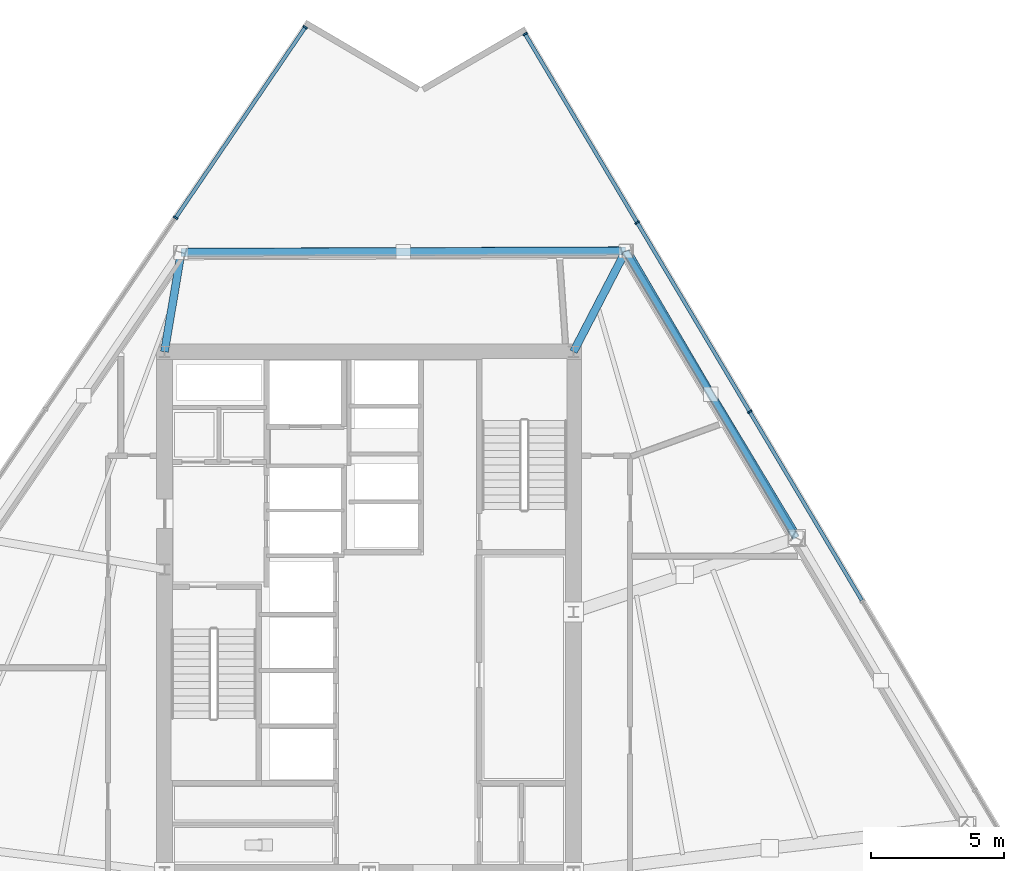
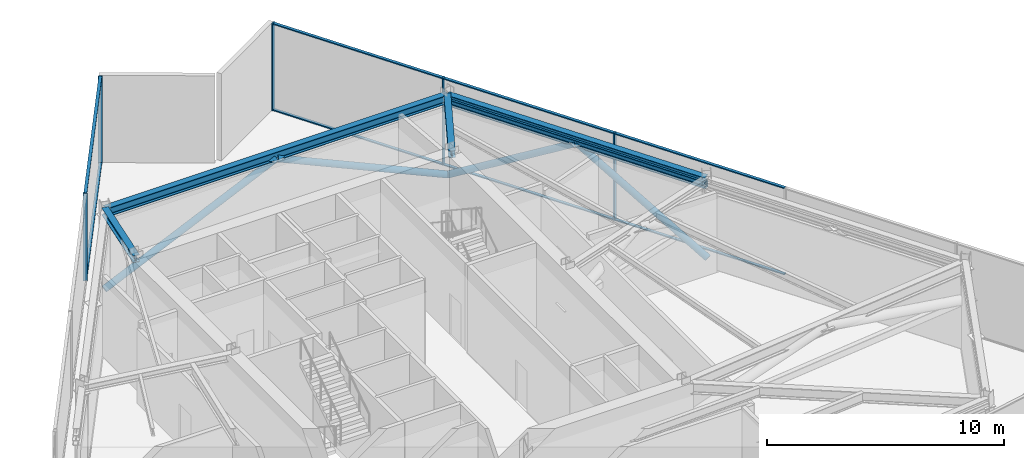
# One storey, part 6 of 14: 18 members, 4 beams, 2 elements without a shape of their own.
"""IFC4 building model written with IfcOpenShell, lengths in metres."""

from ifc_helpers import new_model, si_unit, direction, frame, origin, origin_2d, place, context, subcontext, project, spatial, rectangle, hollow_rectangle, hollow_circle, i_section, extrude, material, material_profile, profile_set, type_object, element, aggregate, save


model = new_model("IFC4")

# Units and contexts
model_context = context("Model", 3, precision=1e-05, world=origin(), true_north=direction((0.0, 1.0)))
body_context = subcontext(model_context, "Body", "Model", "MODEL_VIEW")
ifc_project = project(units=[si_unit("LENGTHUNIT", "METRE"), si_unit("AREAUNIT", "SQUARE_METRE"), si_unit("VOLUMEUNIT", "CUBIC_METRE"), si_unit("PLANEANGLEUNIT", "RADIAN"), si_unit("MASSUNIT", "GRAM", prefix="KILO")], contexts=[model_context])

# Site, building, storey
site_placement = place(None, origin())
site = spatial("IfcSite", under=ifc_project, at=site_placement, CompositionType="ELEMENT")
building_placement = place(site_placement, origin())
building = spatial("IfcBuilding", under=site, at=building_placement, Name="Savorim Split Tower", CompositionType="ELEMENT")
storey_placement = place(building_placement, frame((0.0, 0.0, 129.300048828125)))
storey = spatial("IfcBuildingStorey", under=building, at=storey_placement, Name="L34", CompositionType="ELEMENT", Elevation=129.300048828125)

# Beams
ifc_material_1 = material(Name="Steel S355", Category="steel")
ifc_material_profile_1 = material_profile(ifc_material_1, i_section(OverallWidth=0.300048828125, OverallDepth=0.360107421875, WebThickness=0.012451171875, FlangeThickness=0.0224609375, FilletRadius=0.027099609375, at=origin_2d()), Name="HEB 360")
ifc_profile_set_1 = profile_set([ifc_material_profile_1], Name="Steel S355")
beam_type_1 = type_object("IfcBeamType", Name="BM-PRI-HEB360", PredefinedType="BEAM", material=ifc_profile_set_1)
beam_1_placement = place(storey_placement, frame((9.660400390625, 13.98486328125, 4.320068359375), z_axis=(-0.459929251134, -0.887955564176, 0.0), x_axis=(0.887955564176, -0.459929251134, 0.0)))
element("IfcBeam", 1, at=beam_1_placement, inside=storey, type_object=beam_type_1, Name="L34 Primary Floor Girder RG-07", PredefinedType="BEAM", context=body_context, shape_type="SweptSolid", body=[
    extrude(i_section(OverallWidth=0.300048828125, OverallDepth=0.360107421875, WebThickness=0.012451171875, FlangeThickness=0.0224609375, FilletRadius=0.027099609375, at=origin_2d()), origin(), (0.0, 0.0, 1.0), 4.262451171875),
])
beam_2_placement = place(storey_placement, frame((-7.073486328125, 13.93603515625, 4.320068359375), z_axis=(-0.165370836961, -0.98623145675, 0.0), x_axis=(0.98623145675, -0.165370836961, 0.0)))
element("IfcBeam", 2, at=beam_2_placement, inside=storey, type_object=beam_type_1, Name="L34 Primary Floor Girder RG-08", PredefinedType="BEAM", context=body_context, shape_type="SweptSolid", body=[
    extrude(i_section(OverallWidth=0.300048828125, OverallDepth=0.360107421875, WebThickness=0.012451171875, FlangeThickness=0.0224609375, FilletRadius=0.027099609375, at=origin_2d()), origin(), (0.0, 0.0, 1.0), 3.788330078125),
])
ifc_material_profile_2 = material_profile(ifc_material_1, i_section(OverallWidth=0.300048828125, OverallDepth=0.43994140625, WebThickness=0.011474609375, FlangeThickness=0.02099609375, FilletRadius=0.027099609375, at=origin_2d()), Name="HEA 450")
ifc_profile_set_2 = profile_set([ifc_material_profile_2], Name="Steel S355")
beam_type_2 = type_object("IfcBeamType", Name="BM-SPN-HEA450", PredefinedType="SPANDREL", material=ifc_profile_set_2)
beam_3_placement = place(storey_placement, frame((16.07421875, 3.198486328125, 4.280029296875), z_axis=(-0.511092873601, 0.859525493836, 0.0), x_axis=(-0.859525493836, -0.511092873601, 0.0)))
element("IfcBeam", 3, at=beam_3_placement, inside=storey, type_object=beam_type_2, Name="L34 Perimeter Spandrel Beam 6", PredefinedType="SPANDREL", context=body_context, shape_type="SweptSolid", body=[
    extrude(i_section(OverallWidth=0.300048828125, OverallDepth=0.43994140625, WebThickness=0.011474609375, FlangeThickness=0.02099609375, FilletRadius=0.027099609375, at=origin_2d()), origin(), (0.0, 0.0, 1.0), 12.54931640625),
])
beam_4_placement = place(storey_placement, frame((9.660400390625, 13.98486328125, 4.280029296875), z_axis=(-0.999995742902, -0.002917906518, 0.0), x_axis=(0.002917906518, -0.999995742902, 0.0)))
element("IfcBeam", 4, at=beam_4_placement, inside=storey, type_object=beam_type_2, Name="L34 Perimeter Spandrel Beam 7", PredefinedType="SPANDREL", context=body_context, shape_type="SweptSolid", body=[
    extrude(i_section(OverallWidth=0.300048828125, OverallDepth=0.43994140625, WebThickness=0.011474609375, FlangeThickness=0.02099609375, FilletRadius=0.027099609375, at=origin_2d()), origin(), (0.0, 0.0, 1.0), 16.73388671875),
])

# Curtain wall, members
ifc_material_2 = material(Name="Dark Ceramic-Fritted Insulated Glass", Category="glass")
curtain_wall_type = type_object("IfcCurtainWallType", Name="CW-REFUGE-LVR", PredefinedType="NOTDEFINED", material=ifc_material_2)
curtain_wall_1_placement = place(storey_placement, origin())
curtain_wall_1 = element("IfcCurtainWall", 5, at=curtain_wall_1_placement, inside=storey, type_object=curtain_wall_type, Name="L34 Curtain Wall CW-L34-EAST", PredefinedType="NOTDEFINED")
ifc_material_3 = material(Name="Charcoal Anodised Aluminium", Category="aluminium")
ifc_material_profile_3 = material_profile(ifc_material_3, rectangle(XDim=0.179931640625, YDim=0.06494140625, at=origin_2d()), Name="ALU-M 180x65")
ifc_profile_set_3 = profile_set([ifc_material_profile_3], Name="Charcoal Anodised Aluminium")
member_type_1 = type_object("IfcMemberType", Name="CWM-180x65", PredefinedType="MULLION", material=ifc_profile_set_3)
member_1_placement = place(storey_placement, frame((14.336669921875, 7.937744140625, 0.0), z_axis=(0.0, 0.0, 1.0), x_axis=(-0.859526723197, -0.51109080613, 0.0)))
member_1 = element("IfcMember", 6, at=member_1_placement, type_object=member_type_1, Name="CW-06 mullion 4", PredefinedType="MULLION", context=body_context, shape_type="SweptSolid", body=[
    extrude(rectangle(XDim=0.179931640625, YDim=0.06494140625, at=origin_2d()), origin(), (0.0, 0.0, 1.0), 4.5),
])
member_2_placement = place(storey_placement, frame((10.09912109375, 15.064208984375, 0.0), z_axis=(0.0, 0.0, 1.0), x_axis=(-0.859526723197, -0.51109080613, 0.0)))
member_2 = element("IfcMember", 7, at=member_2_placement, type_object=member_type_1, Name="CW-06 mullion 5", PredefinedType="MULLION", context=body_context, shape_type="SweptSolid", body=[
    extrude(rectangle(XDim=0.179931640625, YDim=0.06494140625, at=origin_2d()), origin(), (0.0, 0.0, 1.0), 4.5),
])
member_3_placement = place(storey_placement, frame((5.87841796875, 22.16259765625, 0.0), z_axis=(0.0, 0.0, 1.0), x_axis=(-0.859526723197, -0.51109080613, 0.0)))
member_3 = element("IfcMember", 8, at=member_3_placement, type_object=member_type_1, Name="CW-06 mullion 6", PredefinedType="MULLION", context=body_context, shape_type="SweptSolid", body=[
    extrude(rectangle(XDim=0.179931640625, YDim=0.06494140625, at=origin_2d()), origin(), (0.0, 0.0, 1.0), 4.5),
])

curtain_wall_2_placement = place(storey_placement, origin())
curtain_wall_2 = element("IfcCurtainWall", 9, at=curtain_wall_2_placement, inside=storey, type_object=curtain_wall_type, Name="L34 Curtain Wall CW-L34-WEST", PredefinedType="NOTDEFINED")
member_4_placement = place(storey_placement, frame((-2.40087890625, 22.414794921875, 0.0), z_axis=(0.0, 0.0, 1.0), x_axis=(0.826819743155, -0.562466987768, 0.0)))
member_4 = element("IfcMember", 10, at=member_4_placement, type_object=member_type_1, Name="CW-06 mullion 1", PredefinedType="MULLION", context=body_context, shape_type="SweptSolid", body=[
    extrude(rectangle(XDim=0.179931640625, YDim=0.06494140625, at=origin_2d()), origin(), (0.0, 0.0, 1.0), 4.5),
])
member_5_placement = place(storey_placement, frame((-7.281005859375, 15.240966796875, 0.0), z_axis=(0.0, 0.0, 1.0), x_axis=(0.826819743155, -0.562466987768, 0.0)))
member_5 = element("IfcMember", 11, at=member_5_placement, type_object=member_type_1, Name="CW-06 mullion 2", PredefinedType="MULLION", context=body_context, shape_type="SweptSolid", body=[
    extrude(rectangle(XDim=0.179931640625, YDim=0.06494140625, at=origin_2d()), origin(), (0.0, 0.0, 1.0), 4.5),
])

# Member
ifc_material_profile_4 = material_profile(ifc_material_3, rectangle(XDim=0.139892578125, YDim=0.054931640625, at=origin_2d()), Name="ALU-T 140x55")
ifc_profile_set_4 = profile_set([ifc_material_profile_4], Name="Charcoal Anodised Aluminium")
member_type_2 = type_object("IfcMemberType", Name="CWT-140x55", PredefinedType="USERDEFINED", material=ifc_profile_set_4)
member_6_placement = place(storey_placement, frame((18.5576171875, 0.83935546875, 0.02734375), z_axis=(-0.511096134153, 0.859523555032, 0.0), x_axis=(-0.859523555032, -0.511096134153, 0.0)))
member_6 = element("IfcMember", 12, at=member_6_placement, type_object=member_type_2, Name="CW-06 transom 3.1", ObjectType="TRANSOM", PredefinedType="USERDEFINED", context=body_context, shape_type="SweptSolid", body=[
    extrude(rectangle(XDim=0.139892578125, YDim=0.054931640625, at=origin_2d()), origin(), (0.0, 0.0, 1.0), 8.22607421875),
])

member_7_placement = place(storey_placement, frame((18.5576171875, 0.83935546875, 4.472412109375), z_axis=(-0.511096134153, 0.859523555032, 0.0), x_axis=(-0.859523555032, -0.511096134153, 0.0)))
member_7 = element("IfcMember", 13, at=member_7_placement, type_object=member_type_2, Name="CW-06 transom 3.2", ObjectType="TRANSOM", PredefinedType="USERDEFINED", context=body_context, shape_type="SweptSolid", body=[
    extrude(rectangle(XDim=0.139892578125, YDim=0.054931640625, at=origin_2d()), origin(), (0.0, 0.0, 1.0), 8.22607421875),
])

member_8_placement = place(storey_placement, frame((14.320068359375, 7.965576171875, 0.02734375), z_axis=(-0.511096134153, 0.859523555032, 0.0), x_axis=(-0.859523555032, -0.511096134153, 0.0)))
member_8 = element("IfcMember", 14, at=member_8_placement, type_object=member_type_2, Name="CW-06 transom 4.1", ObjectType="TRANSOM", PredefinedType="USERDEFINED", context=body_context, shape_type="SweptSolid", body=[
    extrude(rectangle(XDim=0.139892578125, YDim=0.054931640625, at=origin_2d()), origin(), (0.0, 0.0, 1.0), 8.22607421875),
])

member_9_placement = place(storey_placement, frame((14.320068359375, 7.965576171875, 4.472412109375), z_axis=(-0.511096134153, 0.859523555032, 0.0), x_axis=(-0.859523555032, -0.511096134153, 0.0)))
member_9 = element("IfcMember", 15, at=member_9_placement, type_object=member_type_2, Name="CW-06 transom 4.2", ObjectType="TRANSOM", PredefinedType="USERDEFINED", context=body_context, shape_type="SweptSolid", body=[
    extrude(rectangle(XDim=0.139892578125, YDim=0.054931640625, at=origin_2d()), origin(), (0.0, 0.0, 1.0), 8.22607421875),
])

member_10_placement = place(storey_placement, frame((10.08251953125, 15.092041015625, 0.02734375), z_axis=(-0.511082532623, 0.859531642726, 0.0), x_axis=(-0.859531642726, -0.511082532623, 0.0)))
member_10 = element("IfcMember", 16, at=member_10_placement, type_object=member_type_2, Name="CW-06 transom 5.1", ObjectType="TRANSOM", PredefinedType="USERDEFINED", context=body_context, shape_type="SweptSolid", body=[
    extrude(rectangle(XDim=0.139892578125, YDim=0.054931640625, at=origin_2d()), origin(), (0.0, 0.0, 1.0), 8.193359375),
])

member_11_placement = place(storey_placement, frame((10.08251953125, 15.092041015625, 4.472412109375), z_axis=(-0.511082532623, 0.859531642726, 0.0), x_axis=(-0.859531642726, -0.511082532623, 0.0)))
member_11 = element("IfcMember", 17, at=member_11_placement, type_object=member_type_2, Name="CW-06 transom 5.2", ObjectType="TRANSOM", PredefinedType="USERDEFINED", context=body_context, shape_type="SweptSolid", body=[
    extrude(rectangle(XDim=0.139892578125, YDim=0.054931640625, at=origin_2d()), origin(), (0.0, 0.0, 1.0), 8.193359375),
])

aggregate(curtain_wall_1, [member_1, member_2, member_3, member_6, member_7, member_8, member_9, member_10, member_11])

member_12_placement = place(storey_placement, frame((-2.419189453125, 22.387939453125, 0.02734375), z_axis=(-0.562455024594, -0.826827881308, 0.0), x_axis=(0.826827881308, -0.562455024594, 0.0)))
member_12 = element("IfcMember", 18, at=member_12_placement, type_object=member_type_2, Name="CW-06 transom 1.1", ObjectType="TRANSOM", PredefinedType="USERDEFINED", context=body_context, shape_type="SweptSolid", body=[
    extrude(rectangle(XDim=0.139892578125, YDim=0.054931640625, at=origin_2d()), origin(), (0.0, 0.0, 1.0), 8.611328125),
])

member_13_placement = place(storey_placement, frame((-2.419189453125, 22.387939453125, 4.472412109375), z_axis=(-0.562455024594, -0.826827881308, 0.0), x_axis=(0.826827881308, -0.562455024594, 0.0)))
member_13 = element("IfcMember", 19, at=member_13_placement, type_object=member_type_2, Name="CW-06 transom 1.2", ObjectType="TRANSOM", PredefinedType="USERDEFINED", context=body_context, shape_type="SweptSolid", body=[
    extrude(rectangle(XDim=0.139892578125, YDim=0.054931640625, at=origin_2d()), origin(), (0.0, 0.0, 1.0), 8.611328125),
])

aggregate(curtain_wall_2, [member_4, member_5, member_12, member_13])

# Members
ifc_material_4 = material(Name="Steel S460", Category="steel")
ifc_material_profile_5 = material_profile(ifc_material_4, hollow_circle(Radius=0.161865234375, WallThickness=0.01611328125, at=origin_2d()), Name="CHS 323.9x16")
ifc_profile_set_5 = profile_set([ifc_material_profile_5], Name="Steel S460")
member_type_3 = type_object("IfcMemberType", Name="MBR-BLT-CHS324", PredefinedType="BRACE", material=ifc_profile_set_5)
member_14_placement = place(storey_placement, frame((16.13818359375, 3.166015625, 0.280029296875), z_axis=(-0.442777561507, 0.734426462857, 0.51435960347), x_axis=(-0.856399502717, -0.516313753202, 0.0)))
element("IfcMember", 20, at=member_14_placement, inside=storey, type_object=member_type_3, Name="L34 Perimeter Belt Truss Brace 6A", PredefinedType="BRACE", context=body_context, shape_type="SweptSolid", body=[
    extrude(hollow_circle(Radius=0.161865234375, WallThickness=0.01611328125, at=origin_2d()), origin(), (0.0, 0.0, 1.0), 7.387451171875),
])
member_15_placement = place(storey_placement, frame((9.699951171875, 13.99365234375, 0.280029296875), z_axis=(0.432399474417, -0.737508916243, 0.518759378696), x_axis=(0.862663949456, 0.505777530451, 0.0)))
element("IfcMember", 21, at=member_15_placement, inside=storey, type_object=member_type_3, Name="L34 Perimeter Belt Truss Brace 6B", PredefinedType="BRACE", context=body_context, shape_type="SweptSolid", body=[
    extrude(hollow_circle(Radius=0.161865234375, WallThickness=0.01611328125, at=origin_2d()), origin(), (0.0, 0.0, 1.0), 7.32470703125),
])
member_16_placement = place(storey_placement, frame((9.699951171875, 13.99365234375, 0.280029296875), z_axis=(-0.911229515274, -0.003599082685, 0.411883256636), x_axis=(0.003949668609, -0.999992200029, 0.0)))
element("IfcMember", 22, at=member_16_placement, inside=storey, type_object=member_type_3, Name="L34 Perimeter Belt Truss Brace 7A", PredefinedType="BRACE", context=body_context, shape_type="SweptSolid", body=[
    extrude(hollow_circle(Radius=0.161865234375, WallThickness=0.01611328125, at=origin_2d()), origin(), (0.0, 0.0, 1.0), 9.225341796875),
])
member_17_placement = place(storey_placement, frame((-7.103271484375, 13.94482421875, 0.280029296875), z_axis=(0.91105426286, 0.001695329655, 0.412282980466), x_axis=(-0.001860840555, 0.999998268635, 0.0)))
element("IfcMember", 23, at=member_17_placement, inside=storey, type_object=member_type_3, Name="L34 Perimeter Belt Truss Brace 7B", PredefinedType="BRACE", context=body_context, shape_type="SweptSolid", body=[
    extrude(hollow_circle(Radius=0.161865234375, WallThickness=0.01611328125, at=origin_2d()), origin(), (0.0, 0.0, 1.0), 9.216552734375),
])
ifc_material_profile_6 = material_profile(ifc_material_4, hollow_rectangle(XDim=0.25, YDim=0.35009765625, WallThickness=0.01611328125, InnerFilletRadius=0.01611328125, OuterFilletRadius=0.031982421875, at=origin_2d()), Name="RHS 350x250x16")
ifc_profile_set_6 = profile_set([ifc_material_profile_6], Name="Steel S460")
member_type_4 = type_object("IfcMemberType", Name="MBR-CHD-RHS350", PredefinedType="CHORD", material=ifc_profile_set_6)
member_18_placement = place(storey_placement, frame((16.08447265625, 3.193359375, 4.079833984375), z_axis=(-0.511106450302, 0.859517420684, 0.0), x_axis=(-0.859517420684, -0.511106450302, 0.0)))
element("IfcMember", 24, at=member_18_placement, inside=storey, type_object=member_type_4, Name="L34 Perimeter Belt Truss Chord 6", PredefinedType="CHORD", context=body_context, shape_type="SweptSolid", body=[
    extrude(hollow_rectangle(XDim=0.25, YDim=0.35009765625, WallThickness=0.01611328125, InnerFilletRadius=0.01611328125, OuterFilletRadius=0.031982421875, at=origin_2d()), origin(), (0.0, 0.0, 1.0), 12.55712890625),
])

save(model, "model.ifc")
